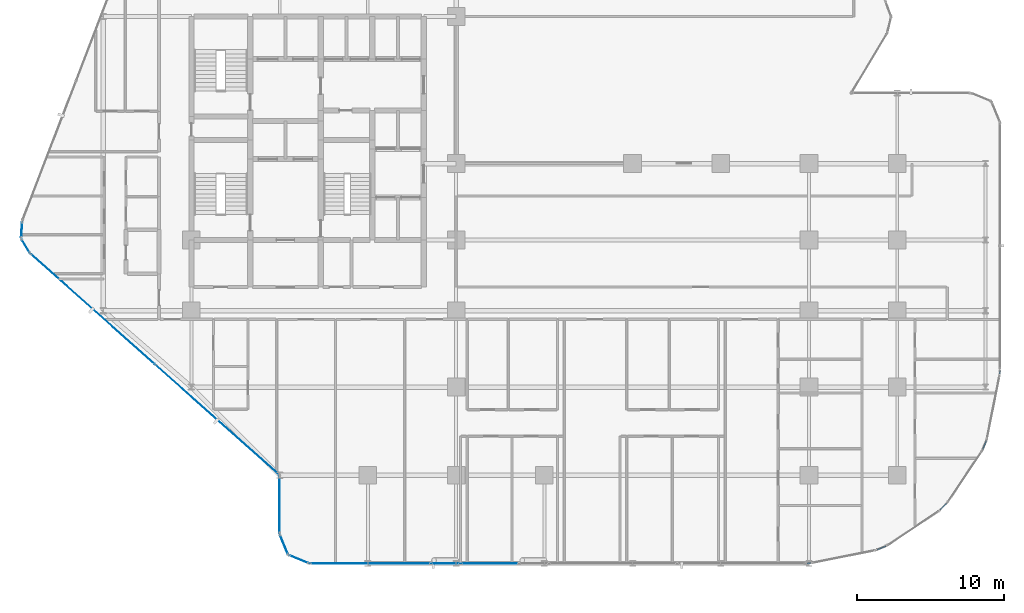
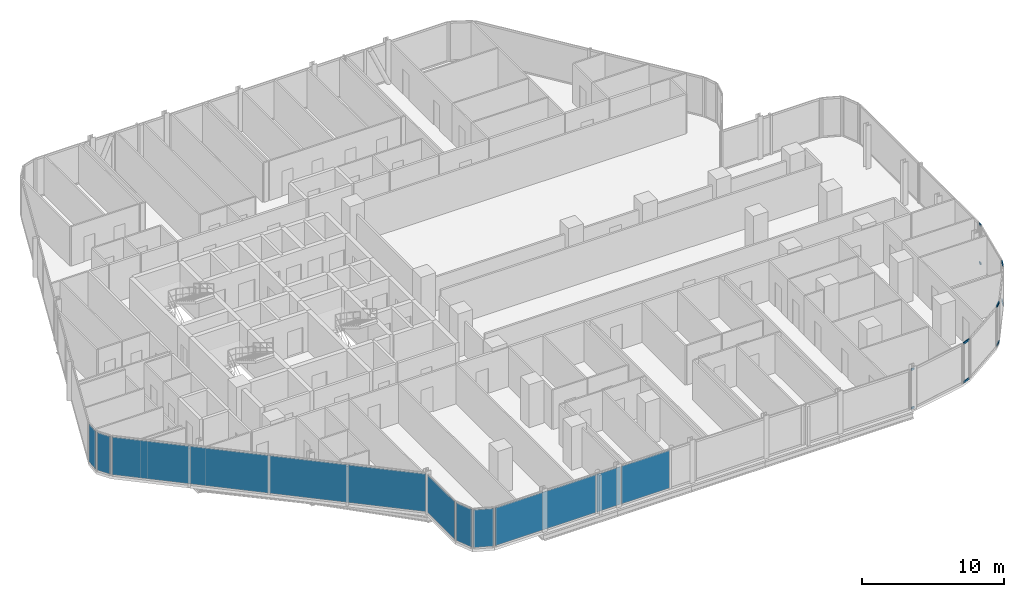
# One storey, part 20 of 34: 10 members, 10 plates, 14 elements without a shape of their own.
"""IFC4 building model written with IfcOpenShell, lengths in metres."""

from ifc_helpers import new_model, si_unit, direction, frame, origin, origin_2d, place, context, subcontext, project, spatial, rectangle, hollow_rectangle, extrude, material, layer, layer_set, material_profile, profile_set, type_object, element, aggregate, save


model = new_model("IFC4")

# Units and contexts
model_context = context("Model", 3, precision=1e-05, world=origin(), true_north=direction((0.0, 1.0)))
body_context = subcontext(model_context, "Body", "Model", "MODEL_VIEW")
ifc_project = project(units=[si_unit("LENGTHUNIT", "METRE"), si_unit("AREAUNIT", "SQUARE_METRE"), si_unit("VOLUMEUNIT", "CUBIC_METRE"), si_unit("PLANEANGLEUNIT", "RADIAN"), si_unit("MASSUNIT", "GRAM", prefix="KILO")], contexts=[model_context])

# Site, building, storey
site_placement = place(None, origin())
site = spatial("IfcSite", under=ifc_project, at=site_placement, CompositionType="ELEMENT")
building_placement = place(site_placement, origin())
building = spatial("IfcBuilding", under=site, at=building_placement, Name="Keshet Zoharim Tower", CompositionType="ELEMENT")
storey_placement = place(building_placement, frame((0.0, 0.0, 70.10009765625)))
storey = spatial("IfcBuildingStorey", under=building, at=storey_placement, Name="L16", CompositionType="ELEMENT", Elevation=70.10009765625)

# Curtain wall, members
ifc_material_1 = material(Name="Aluminium 6063-T6", Category="aluminium")
ifc_layer_1 = layer(ifc_material_1, 0.169921875)
ifc_layer_set_1 = layer_set([ifc_layer_1], Name="Aluminium 6063-T6")
curtain_wall_type_1 = type_object("IfcCurtainWallType", Name="CW-SYS-02", PredefinedType="NOTDEFINED", material=ifc_layer_set_1)
curtain_wall_1_placement = place(storey_placement, origin())
curtain_wall_1 = element("IfcCurtainWall", 1, at=curtain_wall_1_placement, inside=storey, type_object=curtain_wall_type_1, Name="L16 Unitised Curtain Wall 17", PredefinedType="NOTDEFINED")
ifc_material_profile = material_profile(ifc_material_1, hollow_rectangle(XDim=0.0849609375, YDim=0.159912109375, WallThickness=0.00439453125, at=origin_2d()), Name="TRN-85x160")
ifc_profile_set = profile_set([ifc_material_profile], Name="Aluminium 6063-T6")
member_type = type_object("IfcMemberType", Name="CWT-T16", PredefinedType="USERDEFINED", material=ifc_profile_set)
member_1_placement = place(storey_placement, frame((69.9931640625, 13.827392578125, 0.034912109375), z_axis=(-0.096912647607, -0.995292890929, 0.0), x_axis=(0.995292890929, -0.096912647607, 0.0)))
member_1 = element("IfcMember", 2, at=member_1_placement, type_object=member_type, Name="CW-02 transom 1.1", ObjectType="TRANSOM", PredefinedType="USERDEFINED", context=body_context, shape_type="SweptSolid", body=[
    extrude(hollow_rectangle(XDim=0.0849609375, YDim=0.159912109375, WallThickness=0.00439453125, at=origin_2d()), origin(), (0.0, 0.0, 1.0), 0.251953125),
])
member_2_placement = place(storey_placement, frame((69.9931640625, 13.827392578125, 3.349853515625), z_axis=(-0.096912647607, -0.995292890929, 0.0), x_axis=(0.995292890929, -0.096912647607, 0.0)))
member_2 = element("IfcMember", 3, at=member_2_placement, type_object=member_type, Name="CW-02 transom 1.2", ObjectType="TRANSOM", PredefinedType="USERDEFINED", context=body_context, shape_type="SweptSolid", body=[
    extrude(hollow_rectangle(XDim=0.0849609375, YDim=0.159912109375, WallThickness=0.00439453125, at=origin_2d()), origin(), (0.0, 0.0, 1.0), 0.251953125),
])
aggregate(curtain_wall_1, [member_1, member_2])

ifc_layer_2 = layer(ifc_material_1, 0.179931640625)
ifc_layer_set_2 = layer_set([ifc_layer_2], Name="Aluminium 6063-T6")
curtain_wall_type_2 = type_object("IfcCurtainWallType", Name="CW-SYS-01", PredefinedType="NOTDEFINED", material=ifc_layer_set_2)
curtain_wall_2_placement = place(storey_placement, origin())
curtain_wall_2 = element("IfcCurtainWall", 4, at=curtain_wall_2_placement, inside=storey, type_object=curtain_wall_type_2, Name="L16 Unitised Curtain Wall 19", PredefinedType="NOTDEFINED")
member_3_placement = place(storey_placement, frame((69.061279296875, 9.05029296875, 0.034912109375), z_axis=(-0.383126096215, -0.923696050874, 0.0), x_axis=(0.923696050874, -0.383126096215, 0.0)))
member_3 = element("IfcMember", 5, at=member_3_placement, type_object=member_type, Name="CW-01 transom 1.1", ObjectType="TRANSOM", PredefinedType="USERDEFINED", context=body_context, shape_type="SweptSolid", body=[
    extrude(hollow_rectangle(XDim=0.0849609375, YDim=0.159912109375, WallThickness=0.00439453125, at=origin_2d()), origin(), (0.0, 0.0, 1.0), 0.640380859375),
])
member_4_placement = place(storey_placement, frame((69.061279296875, 9.05029296875, 3.349853515625), z_axis=(-0.383126096215, -0.923696050874, 0.0), x_axis=(0.923696050874, -0.383126096215, 0.0)))
member_4 = element("IfcMember", 6, at=member_4_placement, type_object=member_type, Name="CW-01 transom 1.2", ObjectType="TRANSOM", PredefinedType="USERDEFINED", context=body_context, shape_type="SweptSolid", body=[
    extrude(hollow_rectangle(XDim=0.0849609375, YDim=0.159912109375, WallThickness=0.00439453125, at=origin_2d()), origin(), (0.0, 0.0, 1.0), 0.640380859375),
])
aggregate(curtain_wall_2, [member_3, member_4])

curtain_wall_3_placement = place(storey_placement, origin())
curtain_wall_3 = element("IfcCurtainWall", 7, at=curtain_wall_3_placement, inside=storey, type_object=curtain_wall_type_2, Name="L16 Unitised Curtain Wall 21", PredefinedType="NOTDEFINED")
member_5_placement = place(storey_placement, frame((66.363525390625, 4.78857421875, 0.034912109375), z_axis=(-0.707106781187, -0.707106781187, 0.0), x_axis=(0.707106781187, -0.707106781187, 0.0)))
member_5 = element("IfcMember", 8, at=member_5_placement, type_object=member_type, Name="CW-01 transom 1.1", ObjectType="TRANSOM", PredefinedType="USERDEFINED", context=body_context, shape_type="SweptSolid", body=[
    extrude(hollow_rectangle(XDim=0.0849609375, YDim=0.159912109375, WallThickness=0.00439453125, at=origin_2d()), origin(), (0.0, 0.0, 1.0), 0.639404296875),
])
member_6_placement = place(storey_placement, frame((66.363525390625, 4.78857421875, 3.349853515625), z_axis=(-0.707106781187, -0.707106781187, 0.0), x_axis=(0.707106781187, -0.707106781187, 0.0)))
member_6 = element("IfcMember", 9, at=member_6_placement, type_object=member_type, Name="CW-01 transom 1.2", ObjectType="TRANSOM", PredefinedType="USERDEFINED", context=body_context, shape_type="SweptSolid", body=[
    extrude(hollow_rectangle(XDim=0.0849609375, YDim=0.159912109375, WallThickness=0.00439453125, at=origin_2d()), origin(), (0.0, 0.0, 1.0), 0.639404296875),
])
aggregate(curtain_wall_3, [member_5, member_6])

curtain_wall_4_placement = place(storey_placement, origin())
curtain_wall_4 = element("IfcCurtainWall", 10, at=curtain_wall_4_placement, inside=storey, type_object=curtain_wall_type_2, Name="L16 Unitised Curtain Wall 23", PredefinedType="NOTDEFINED")
member_7_placement = place(storey_placement, frame((62.241455078125, 1.88427734375, 0.034912109375), z_axis=(-0.923751978938, -0.382991228891, 0.0), x_axis=(0.382991228891, -0.923751978938, 0.0)))
member_7 = element("IfcMember", 11, at=member_7_placement, type_object=member_type, Name="CW-01 transom 1.1", ObjectType="TRANSOM", PredefinedType="USERDEFINED", context=body_context, shape_type="SweptSolid", body=[
    extrude(hollow_rectangle(XDim=0.0849609375, YDim=0.159912109375, WallThickness=0.00439453125, at=origin_2d()), origin(), (0.0, 0.0, 1.0), 0.640625),
])
member_8_placement = place(storey_placement, frame((62.241455078125, 1.88427734375, 3.349853515625), z_axis=(-0.923751978938, -0.382991228891, 0.0), x_axis=(0.382991228891, -0.923751978938, 0.0)))
member_8 = element("IfcMember", 12, at=member_8_placement, type_object=member_type, Name="CW-01 transom 1.2", ObjectType="TRANSOM", PredefinedType="USERDEFINED", context=body_context, shape_type="SweptSolid", body=[
    extrude(hollow_rectangle(XDim=0.0849609375, YDim=0.159912109375, WallThickness=0.00439453125, at=origin_2d()), origin(), (0.0, 0.0, 1.0), 0.640625),
])
aggregate(curtain_wall_4, [member_7, member_8])

curtain_wall_5_placement = place(storey_placement, origin())
curtain_wall_5 = element("IfcCurtainWall", 13, at=curtain_wall_5_placement, inside=storey, type_object=curtain_wall_type_2, Name="L16 Unitised Curtain Wall 25", PredefinedType="NOTDEFINED")
member_9_placement = place(storey_placement, frame((57.123291015625, 0.731201171875, 0.034912109375), z_axis=(-0.995292890929, -0.096912647607, 0.0), x_axis=(0.096912647607, -0.995292890929, 0.0)))
member_9 = element("IfcMember", 14, at=member_9_placement, type_object=member_type, Name="CW-01 transom 1.1", ObjectType="TRANSOM", PredefinedType="USERDEFINED", context=body_context, shape_type="SweptSolid", body=[
    extrude(hollow_rectangle(XDim=0.0849609375, YDim=0.159912109375, WallThickness=0.00439453125, at=origin_2d()), origin(), (0.0, 0.0, 1.0), 0.251953125),
])
member_10_placement = place(storey_placement, frame((57.123291015625, 0.731201171875, 3.349853515625), z_axis=(-0.995292890929, -0.096912647607, 0.0), x_axis=(0.096912647607, -0.995292890929, 0.0)))
member_10 = element("IfcMember", 15, at=member_10_placement, type_object=member_type, Name="CW-01 transom 1.2", ObjectType="TRANSOM", PredefinedType="USERDEFINED", context=body_context, shape_type="SweptSolid", body=[
    extrude(hollow_rectangle(XDim=0.0849609375, YDim=0.159912109375, WallThickness=0.00439453125, at=origin_2d()), origin(), (0.0, 0.0, 1.0), 0.251953125),
])
aggregate(curtain_wall_5, [member_9, member_10])

# Curtain wall, plates
curtain_wall_6_placement = place(storey_placement, origin())
curtain_wall_6 = element("IfcCurtainWall", 16, at=curtain_wall_6_placement, inside=storey, type_object=curtain_wall_type_2, Name="L16 Unitised Curtain Wall 01", PredefinedType="NOTDEFINED")
ifc_material_2 = material(Name="Insulated Low-E Clear Glass", Category="glass")
ifc_layer_3 = layer(ifc_material_2, 0.035888671875)
ifc_layer_set_3 = layer_set([ifc_layer_3], Name="Insulated Low-E Clear Glass")
plate_type_1 = type_object("IfcPlateType", Name="CWP-01", PredefinedType="CURTAIN_PANEL", material=ifc_layer_set_3)
plate_1_placement = place(storey_placement, frame((16.74560546875, 10.481689453125, 0.06982421875), z_axis=(0.0, 0.0, 1.0), x_axis=(-0.747409318679, 0.664363838836, 0.0)))
plate_1 = element("IfcPlate", 17, at=plate_1_placement, type_object=plate_type_1, Name="CW-01 panel 1.1", PredefinedType="CURTAIN_PANEL", context=body_context, shape_type="SweptSolid", body=[
    extrude(rectangle(XDim=11.244140625, YDim=0.035888671875, at=origin_2d()), origin(), (0.0, 0.0, 1.0), 3.2451171875),
])
plate_2_placement = place(storey_placement, frame((8.289306640625, 17.998291015625, 0.06982421875), z_axis=(0.0, 0.0, 1.0), x_axis=(-0.747409318679, 0.664363838836, 0.0)))
plate_2 = element("IfcPlate", 18, at=plate_2_placement, type_object=plate_type_1, Name="CW-01 panel 2.1", PredefinedType="CURTAIN_PANEL", context=body_context, shape_type="SweptSolid", body=[
    extrude(rectangle(XDim=11.244140625, YDim=0.035888671875, at=origin_2d()), origin(), (0.0, 0.0, 1.0), 3.2451171875),
])
aggregate(curtain_wall_6, [plate_1, plate_2])

# Curtain wall, plate
curtain_wall_7_placement = place(storey_placement, origin())
curtain_wall_7 = element("IfcCurtainWall", 19, at=curtain_wall_7_placement, inside=storey, type_object=curtain_wall_type_2, Name="L16 Unitised Curtain Wall 02", PredefinedType="NOTDEFINED")
plate_3_placement = place(storey_placement, frame((3.7275390625, 22.291015625, 0.06982421875), z_axis=(0.0, 0.0, 1.0), x_axis=(-0.515604947933, 0.856826433805, 0.0)))
plate_3 = element("IfcPlate", 20, at=plate_3_placement, type_object=plate_type_1, Name="CW-01 panel 1.1", PredefinedType="CURTAIN_PANEL", context=body_context, shape_type="SweptSolid", body=[
    extrude(rectangle(XDim=1.052734375, YDim=0.035888671875, at=origin_2d()), origin(), (0.0, 0.0, 1.0), 3.2451171875),
])
aggregate(curtain_wall_7, [plate_3])

curtain_wall_8_placement = place(storey_placement, origin())
curtain_wall_8 = element("IfcCurtainWall", 21, at=curtain_wall_8_placement, inside=storey, type_object=curtain_wall_type_2, Name="L16 Unitised Curtain Wall 03", PredefinedType="NOTDEFINED")
plate_4_placement = place(storey_placement, frame((3.45849609375, 23.3974609375, 0.06982421875), z_axis=(0.0, 0.0, 1.0), x_axis=(0.064516859374, 0.997916617186, 0.0)))
plate_4 = element("IfcPlate", 22, at=plate_4_placement, type_object=plate_type_1, Name="CW-01 panel 1.1", PredefinedType="CURTAIN_PANEL", context=body_context, shape_type="SweptSolid", body=[
    extrude(rectangle(XDim=1.053466796875, YDim=0.035888671875, at=origin_2d()), origin(), (0.0, 0.0, 1.0), 3.2451171875),
])
aggregate(curtain_wall_8, [plate_4])

curtain_wall_9_placement = place(storey_placement, origin())
curtain_wall_9 = element("IfcCurtainWall", 23, at=curtain_wall_9_placement, inside=storey, type_object=curtain_wall_type_2, Name="L16 Unitised Curtain Wall 26 Part 3", PredefinedType="NOTDEFINED")
plate_5_placement = place(storey_placement, frame((35.284912109375, 0.699951171875, 0.06982421875), z_axis=(0.0, 0.0, 1.0), x_axis=(-1.0, 0.0, 0.0)))
plate_5 = element("IfcPlate", 24, at=plate_5_placement, type_object=plate_type_1, Name="CW-01 panel 1.1", PredefinedType="CURTAIN_PANEL", context=body_context, shape_type="SweptSolid", body=[
    extrude(rectangle(XDim=3.90478515625, YDim=0.035888671875, at=origin_2d()), origin(), (0.0, 0.0, 1.0), 3.2451171875),
])
aggregate(curtain_wall_9, [plate_5])

curtain_wall_10_placement = place(storey_placement, origin())
curtain_wall_10 = element("IfcCurtainWall", 25, at=curtain_wall_10_placement, inside=storey, type_object=curtain_wall_type_2, Name="L16 Unitised Curtain Wall 26 Part 5", PredefinedType="NOTDEFINED")
plate_6_placement = place(storey_placement, frame((27.15380859375, 0.699951171875, 0.06982421875), z_axis=(0.0, 0.0, 1.0), x_axis=(-1.0, 0.0, 0.0)))
plate_6 = element("IfcPlate", 26, at=plate_6_placement, type_object=plate_type_1, Name="CW-01 panel 1.1", PredefinedType="CURTAIN_PANEL", context=body_context, shape_type="SweptSolid", body=[
    extrude(rectangle(XDim=8.16748046875, YDim=0.035888671875, at=origin_2d()), origin(), (0.0, 0.0, 1.0), 3.2451171875),
])
aggregate(curtain_wall_10, [plate_6])

curtain_wall_11_placement = place(storey_placement, origin())
curtain_wall_11 = element("IfcCurtainWall", 27, at=curtain_wall_11_placement, inside=storey, type_object=curtain_wall_type_2, Name="L16 Unitised Curtain Wall 27", PredefinedType="NOTDEFINED")
plate_7_placement = place(storey_placement, frame((22.29296875, 0.992919921875, 0.06982421875), z_axis=(0.0, 0.0, 1.0), x_axis=(-0.92380975372, 0.382851849847, 0.0)))
plate_7 = element("IfcPlate", 28, at=plate_7_placement, type_object=plate_type_1, Name="CW-01 panel 1.1", PredefinedType="CURTAIN_PANEL", context=body_context, shape_type="SweptSolid", body=[
    extrude(rectangle(XDim=1.390625, YDim=0.035888671875, at=origin_2d()), origin(), (0.0, 0.0, 1.0), 3.2451171875),
])
aggregate(curtain_wall_11, [plate_7])

curtain_wall_12_placement = place(storey_placement, origin())
curtain_wall_12 = element("IfcCurtainWall", 29, at=curtain_wall_12_placement, inside=storey, type_object=curtain_wall_type_2, Name="L16 Unitised Curtain Wall 28", PredefinedType="NOTDEFINED")
plate_8_placement = place(storey_placement, frame((21.29296875, 1.992919921875, 0.06982421875), z_axis=(0.0, 0.0, 1.0), x_axis=(-0.382851849847, 0.92380975372, 0.0)))
plate_8 = element("IfcPlate", 30, at=plate_8_placement, type_object=plate_type_1, Name="CW-01 panel 1.1", PredefinedType="CURTAIN_PANEL", context=body_context, shape_type="SweptSolid", body=[
    extrude(rectangle(XDim=1.390625, YDim=0.035888671875, at=origin_2d()), origin(), (0.0, 0.0, 1.0), 3.2451171875),
])
aggregate(curtain_wall_12, [plate_8])

curtain_wall_13_placement = place(storey_placement, origin())
curtain_wall_13 = element("IfcCurtainWall", 31, at=curtain_wall_13_placement, inside=storey, type_object=curtain_wall_type_2, Name="L16 Unitised Curtain Wall 29", PredefinedType="NOTDEFINED")
plate_9_placement = place(storey_placement, frame((21.0, 4.699951171875, 0.06982421875), z_axis=(0.0, 0.0, 1.0), x_axis=(0.0, 1.0, 0.0)))
plate_9 = element("IfcPlate", 32, at=plate_9_placement, type_object=plate_type_1, Name="CW-01 panel 1.1", PredefinedType="CURTAIN_PANEL", context=body_context, shape_type="SweptSolid", body=[
    extrude(rectangle(XDim=3.860107421875, YDim=0.035888671875, at=origin_2d()), origin(), (0.0, 0.0, 1.0), 3.2451171875),
])
aggregate(curtain_wall_13, [plate_9])

curtain_wall_14_placement = place(storey_placement, origin())
curtain_wall_14 = element("IfcCurtainWall", 33, at=curtain_wall_14_placement, inside=storey, type_object=curtain_wall_type_2, Name="L16 Unitised Curtain Wall 26 Part 4", PredefinedType="NOTDEFINED")
ifc_material_3 = material(Name="Insulated Aluminium Spandrel Panel", Category="aluminium")
ifc_layer_4 = layer(ifc_material_3, 0.035888671875)
ifc_layer_set_4 = layer_set([ifc_layer_4], Name="Insulated Aluminium Spandrel Panel")
plate_type_2 = type_object("IfcPlateType", Name="CWP-04", PredefinedType="CURTAIN_PANEL", material=ifc_layer_set_4)
plate_10_placement = place(storey_placement, frame((32.284912109375, 0.699951171875, 0.06982421875), z_axis=(0.0, 0.0, 1.0), x_axis=(-1.0, 0.0, 0.0)))
plate_10 = element("IfcPlate", 34, at=plate_10_placement, type_object=plate_type_2, Name="CW-01 spandrel panel 1.1", PredefinedType="CURTAIN_PANEL", context=body_context, shape_type="SweptSolid", body=[
    extrude(rectangle(XDim=1.955078125, YDim=0.035888671875, at=origin_2d()), origin(), (0.0, 0.0, 1.0), 3.2451171875),
])
aggregate(curtain_wall_14, [plate_10])

save(model, "model.ifc")
